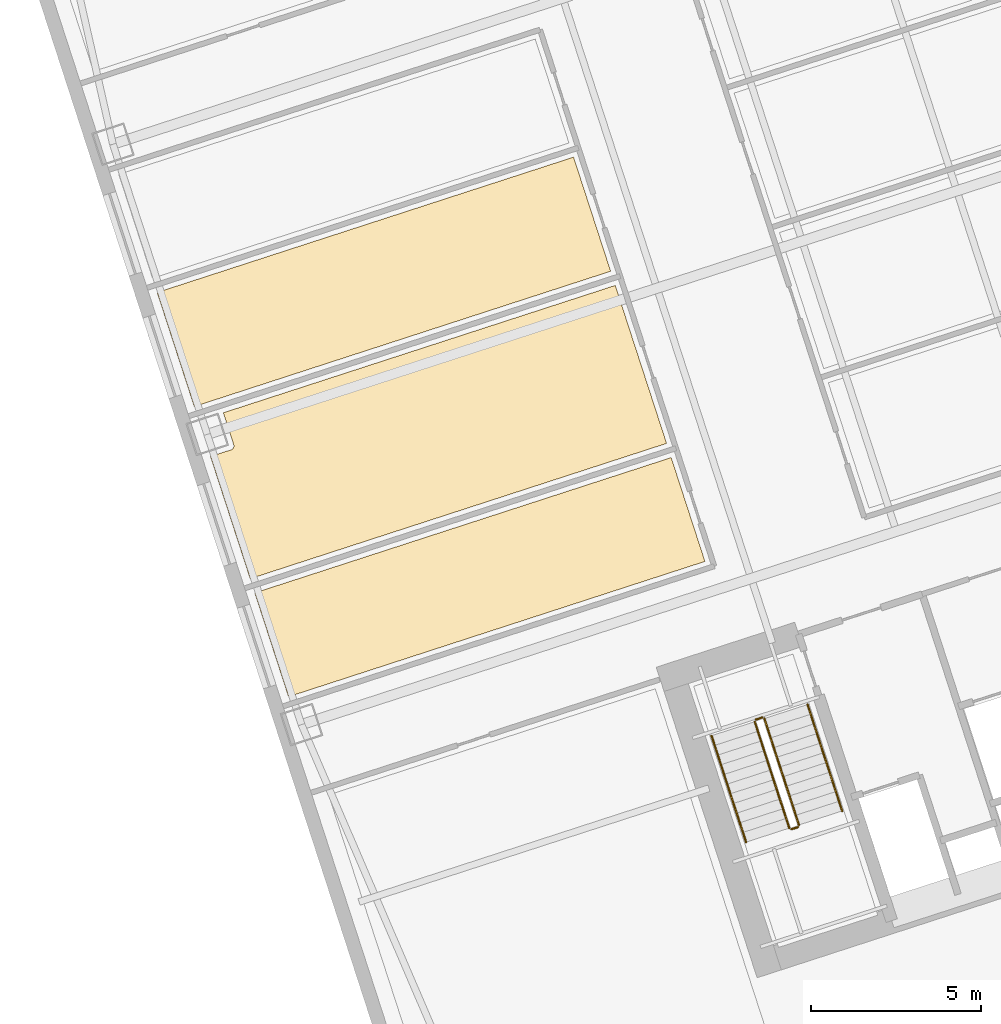
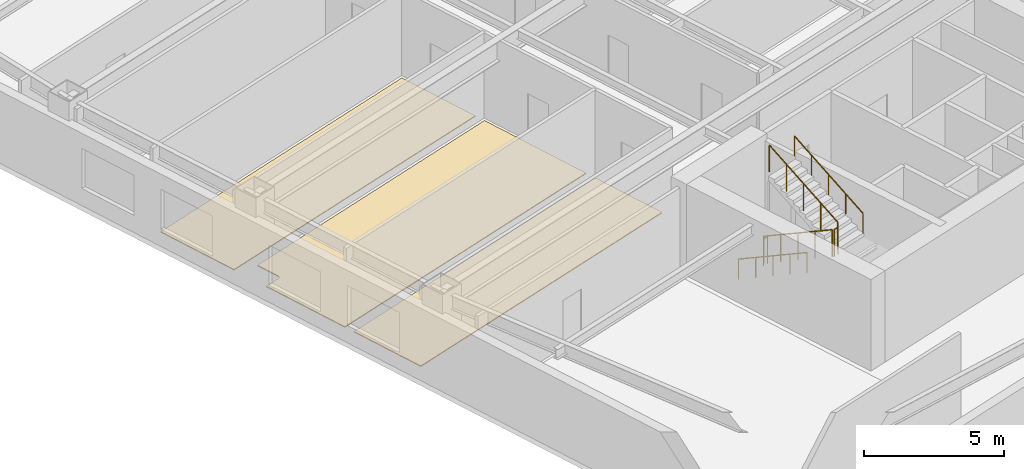
# One storey, part 21 of 24: 6 railings, 3 coverings.
"""IFC4 building model written with IfcOpenShell, lengths in metres."""

from ifc_helpers import new_model, si_unit, direction, frame, origin, origin_2d, place, context, subcontext, project, spatial, polyline, circle, outline, extrude, material, layer, layer_set, type_object, element, save


model = new_model("IFC4")

# Units and contexts
model_context = context("Model", 3, precision=1e-05, world=origin(), true_north=direction((0.0, 1.0)))
body_context = subcontext(model_context, "Body", "Model", "MODEL_VIEW")
ifc_project = project(units=[si_unit("LENGTHUNIT", "METRE"), si_unit("AREAUNIT", "SQUARE_METRE"), si_unit("VOLUMEUNIT", "CUBIC_METRE"), si_unit("PLANEANGLEUNIT", "RADIAN"), si_unit("MASSUNIT", "GRAM", prefix="KILO")], contexts=[model_context])

# Site, building, storey
site_placement = place(None, origin())
site = spatial("IfcSite", under=ifc_project, at=site_placement, CompositionType="ELEMENT")
building_placement = place(site_placement, origin())
building = spatial("IfcBuilding", under=site, at=building_placement, Name="Qiaolan Cultural Towers", CompositionType="ELEMENT")
storey_placement = place(building_placement, frame((0.0, 0.0, 30.0)))
storey = spatial("IfcBuildingStorey", under=building, at=storey_placement, Name="L06", CompositionType="ELEMENT", Elevation=30.0)

# Coverings
ifc_material_1 = material(Name="Honed Terrazzo & Raised Access Flooring", Category="concrete")
ifc_layer = layer(ifc_material_1, 0.0400390625)
ifc_layer_set = layer_set([ifc_layer], Name="Honed Terrazzo & Raised Access Flooring")
covering_type = type_object("IfcCoveringType", Name="COV-FLR-STONE", PredefinedType="FLOORING", material=ifc_layer_set)
covering_1_placement = place(storey_placement, origin())
element("IfcCovering", 1, at=covering_1_placement, inside=storey, type_object=covering_type, Name="L06 Gallery Exhibition Room Finish Flooring", PredefinedType="FLOORING", context=body_context, shape_type="SweptSolid", body=[
    extrude(outline(polyline([(87.13427734375, 24.552001953125), (86.13916015625, 27.615234375), (73.856201171875, 23.624267578125), (74.851318359375, 20.56103515625), (87.13427734375, 24.552001953125)])), origin(), (0.0, 0.0, 1.0), 0.0400390625),
])
covering_2_placement = place(storey_placement, origin())
element("IfcCovering", 2, at=covering_2_placement, inside=storey, type_object=covering_type, Name="L06 Curatorial Office Finish Flooring", PredefinedType="FLOORING", context=body_context, shape_type="SweptSolid", body=[
    extrude(outline(polyline([(73.23486328125, 27.995361328125), (73.238037109375, 27.984130859375), (73.239990234375, 27.972412109375), (73.24072265625, 27.960693359375), (73.240478515625, 27.948974609375), (73.239013671875, 27.937255859375), (73.236328125, 27.92578125), (73.232666015625, 27.91455078125), (73.227783203125, 27.90380859375), (73.221923828125, 27.8935546875), (73.215087890625, 27.884033203125), (73.207275390625, 27.875244140625), (73.19873046875, 27.8671875), (73.189453125, 27.85986328125), (73.179443359375, 27.853759765625), (73.1689453125, 27.848388671875), (73.157958984375, 27.84423828125), (72.54931640625, 27.646484375), (73.72021484375, 24.042724609375), (86.003173828125, 28.03369140625), (84.4892578125, 32.693115234375), (72.928955078125, 28.93701171875), (73.23486328125, 27.995361328125)])), origin(), (0.0, 0.0, 1.0), 0.0400390625),
])
covering_3_placement = place(storey_placement, origin())
element("IfcCovering", 3, at=covering_3_placement, inside=storey, type_object=covering_type, Name="L06 Conservation Studio Finish Flooring", PredefinedType="FLOORING", context=body_context, shape_type="SweptSolid", body=[
    extrude(outline(polyline([(84.353271484375, 33.111572265625), (83.259521484375, 36.4775390625), (70.9765625, 32.486572265625), (72.0703125, 29.12060546875), (84.353271484375, 33.111572265625)])), origin(), (0.0, 0.0, 1.0), 0.0400390625),
])

# Railings
ifc_material_2 = material(Name="Galvanized Painted Steel Stair Guardrail", Category="steel")
railing_type_1 = type_object("IfcRailingType", Name="RL-STAIR-GRD", PredefinedType="GUARDRAIL", material=ifc_material_2)
railing_1_placement = place(storey_placement, frame((88.60205078125, 19.82421875, 0.166748046875)))
element("IfcRailing", 4, at=railing_1_placement, inside=storey, type_object=railing_type_1, Name="L06 ST-E1 stair guard 1", PredefinedType="GUARDRAIL", context=body_context, shape_type="SweptSolid", body=[
    extrude(circle(Radius=0.02392578125, at=origin_2d()), frame((0.0, 0.0, 1.17578125), z_axis=(0.270140520196, -0.831375721119, 0.485632072336), x_axis=(0.951053095941, 0.309027520945, 0.0)), (0.0, 0.0, 1.0), 3.77490234375),
    extrude(circle(Radius=0.02099609375, at=origin_2d()), origin(), (0.0, 0.0, 1.0), 1.15185546875),
    extrude(circle(Radius=0.02099609375, at=origin_2d()), frame((0.2548828125, -0.78466796875, 0.458251953125)), (0.0, 0.0, 1.0), 1.15185546875),
    extrude(circle(Radius=0.02099609375, at=origin_2d()), frame((0.509765625, -1.5693359375, 0.91650390625)), (0.0, 0.0, 1.0), 1.15185546875),
    extrude(circle(Radius=0.02099609375, at=origin_2d()), frame((0.764892578125, -2.353759765625, 1.375)), (0.0, 0.0, 1.0), 1.15185546875),
    extrude(circle(Radius=0.02099609375, at=origin_2d()), frame((1.019775390625, -3.138427734375, 1.833251953125)), (0.0, 0.0, 1.0), 1.15185546875),
])
railing_2_placement = place(storey_placement, frame((89.684814453125, 16.653564453125, 2.0)))
element("IfcRailing", 5, at=railing_2_placement, inside=storey, type_object=railing_type_1, Name="L06 ST-E1 stair guard 2", PredefinedType="GUARDRAIL", context=body_context, shape_type="SweptSolid", body=[
    extrude(circle(Radius=0.02392578125, at=origin_2d()), frame((0.0, 0.0, 1.17578125), z_axis=(0.951096855055, 0.308892816854, 0.0), x_axis=(-0.308892816854, 0.951096855055, 0.0)), (0.0, 0.0, 1.0), 0.199951171875),
    extrude(circle(Radius=0.02099609375, at=origin_2d()), origin(), (0.0, 0.0, 1.0), 1.15185546875),
    extrude(circle(Radius=0.02099609375, at=origin_2d()), frame((0.190185546875, 0.061767578125, 0.0)), (0.0, 0.0, 1.0), 1.15185546875),
])
railing_3_placement = place(storey_placement, frame((89.9072265625, 16.778564453125, 2.166748046875)))
element("IfcRailing", 6, at=railing_3_placement, inside=storey, type_object=railing_type_1, Name="L06 ST-E1 stair guard 3", PredefinedType="GUARDRAIL", context=body_context, shape_type="SweptSolid", body=[
    extrude(circle(Radius=0.02392578125, at=origin_2d()), frame((0.0, 0.0, 1.17578125), z_axis=(-0.270140520196, 0.831375721119, 0.485632072336), x_axis=(-0.951053095941, -0.309027520945, 0.0)), (0.0, 0.0, 1.0), 3.77490234375),
    extrude(circle(Radius=0.02099609375, at=origin_2d()), origin(), (0.0, 0.0, 1.0), 1.15185546875),
    extrude(circle(Radius=0.02099609375, at=origin_2d()), frame((-0.2548828125, 0.78466796875, 0.458251953125)), (0.0, 0.0, 1.0), 1.15185546875),
    extrude(circle(Radius=0.02099609375, at=origin_2d()), frame((-0.509765625, 1.5693359375, 0.91650390625)), (0.0, 0.0, 1.0), 1.15185546875),
    extrude(circle(Radius=0.02099609375, at=origin_2d()), frame((-0.764892578125, 2.353759765625, 1.375)), (0.0, 0.0, 1.0), 1.15185546875),
    extrude(circle(Radius=0.02099609375, at=origin_2d()), frame((-1.019775390625, 3.138427734375, 1.833251953125)), (0.0, 0.0, 1.0), 1.15185546875),
])
railing_4_placement = place(storey_placement, frame((88.63427734375, 19.88720703125, 0.0)))
element("IfcRailing", 7, at=railing_4_placement, inside=storey, type_object=railing_type_1, Name="L06 ST-E1 stair guard 4", PredefinedType="GUARDRAIL", context=body_context, shape_type="SweptSolid", body=[
    extrude(circle(Radius=0.02392578125, at=origin_2d()), frame((0.0, 0.0, 1.17578125), z_axis=(0.951096855055, 0.308892816854, 0.0), x_axis=(-0.308892816854, 0.951096855055, 0.0)), (0.0, 0.0, 1.0), 0.199951171875),
    extrude(circle(Radius=0.02099609375, at=origin_2d()), origin(), (0.0, 0.0, 1.0), 1.15185546875),
    extrude(circle(Radius=0.02099609375, at=origin_2d()), frame((0.190185546875, 0.061767578125, 0.0)), (0.0, 0.0, 1.0), 1.15185546875),
])
ifc_material_3 = material(Name="Stainless Steel S30408 Tubular Handrail", Category="steel")
railing_type_2 = type_object("IfcRailingType", Name="RL-STAIR-HR", PredefinedType="HANDRAIL", material=ifc_material_3)
railing_5_placement = place(storey_placement, frame((87.32763671875, 19.41015625, 0.166748046875)))
element("IfcRailing", 8, at=railing_5_placement, inside=storey, type_object=railing_type_2, Name="L06 ST-E1 stair handrail 1", PredefinedType="HANDRAIL", context=body_context, shape_type="SweptSolid", body=[
    extrude(circle(Radius=0.02392578125, at=origin_2d()), frame((0.0, 0.0, 0.8759765625), z_axis=(0.270140520196, -0.831375721119, 0.485632072336), x_axis=(0.951053095941, 0.309027520945, 0.0)), (0.0, 0.0, 1.0), 3.77490234375),
    extrude(circle(Radius=0.02099609375, at=origin_2d()), origin(), (0.0, 0.0, 1.0), 0.851806640625),
    extrude(circle(Radius=0.02099609375, at=origin_2d()), frame((0.2548828125, -0.78466796875, 0.458251953125)), (0.0, 0.0, 1.0), 0.851806640625),
    extrude(circle(Radius=0.02099609375, at=origin_2d()), frame((0.509765625, -1.5693359375, 0.91650390625)), (0.0, 0.0, 1.0), 0.851806640625),
    extrude(circle(Radius=0.02099609375, at=origin_2d()), frame((0.764892578125, -2.353759765625, 1.375)), (0.0, 0.0, 1.0), 0.851806640625),
    extrude(circle(Radius=0.02099609375, at=origin_2d()), frame((1.019775390625, -3.138427734375, 1.833251953125)), (0.0, 0.0, 1.0), 0.851806640625),
])
railing_6_placement = place(storey_placement, frame((91.181640625, 17.192626953125, 2.166748046875)))
element("IfcRailing", 9, at=railing_6_placement, inside=storey, type_object=railing_type_2, Name="L06 ST-E1 stair handrail 2", PredefinedType="HANDRAIL", context=body_context, shape_type="SweptSolid", body=[
    extrude(circle(Radius=0.02392578125, at=origin_2d()), frame((0.0, 0.0, 0.8759765625), z_axis=(-0.270140520196, 0.831375721119, 0.485632072336), x_axis=(-0.951053095941, -0.309027520945, 0.0)), (0.0, 0.0, 1.0), 3.77490234375),
    extrude(circle(Radius=0.02099609375, at=origin_2d()), origin(), (0.0, 0.0, 1.0), 0.851806640625),
    extrude(circle(Radius=0.02099609375, at=origin_2d()), frame((-0.2548828125, 0.78466796875, 0.458251953125)), (0.0, 0.0, 1.0), 0.851806640625),
    extrude(circle(Radius=0.02099609375, at=origin_2d()), frame((-0.509765625, 1.5693359375, 0.91650390625)), (0.0, 0.0, 1.0), 0.851806640625),
    extrude(circle(Radius=0.02099609375, at=origin_2d()), frame((-0.764892578125, 2.353759765625, 1.375)), (0.0, 0.0, 1.0), 0.851806640625),
    extrude(circle(Radius=0.02099609375, at=origin_2d()), frame((-1.019775390625, 3.138427734375, 1.833251953125)), (0.0, 0.0, 1.0), 0.851806640625),
])

save(model, "model.ifc")
